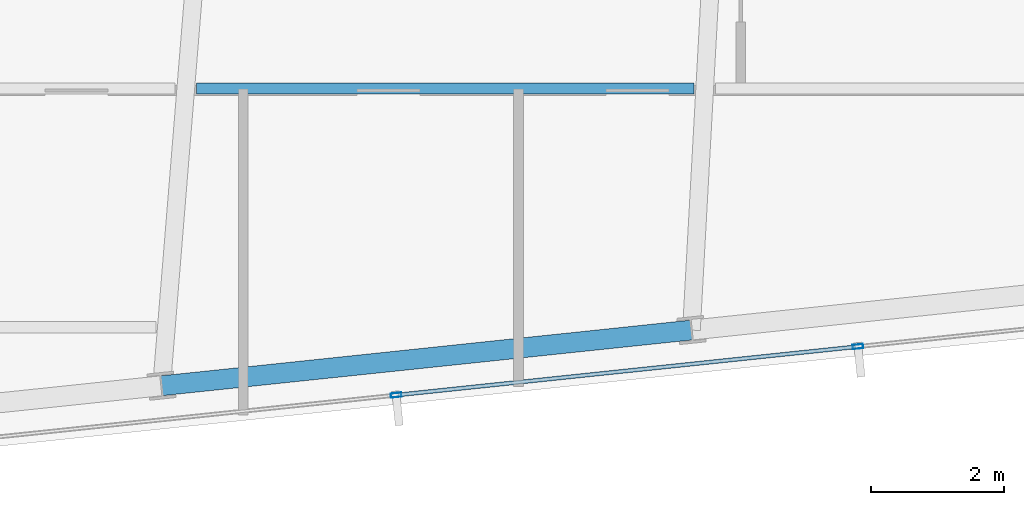
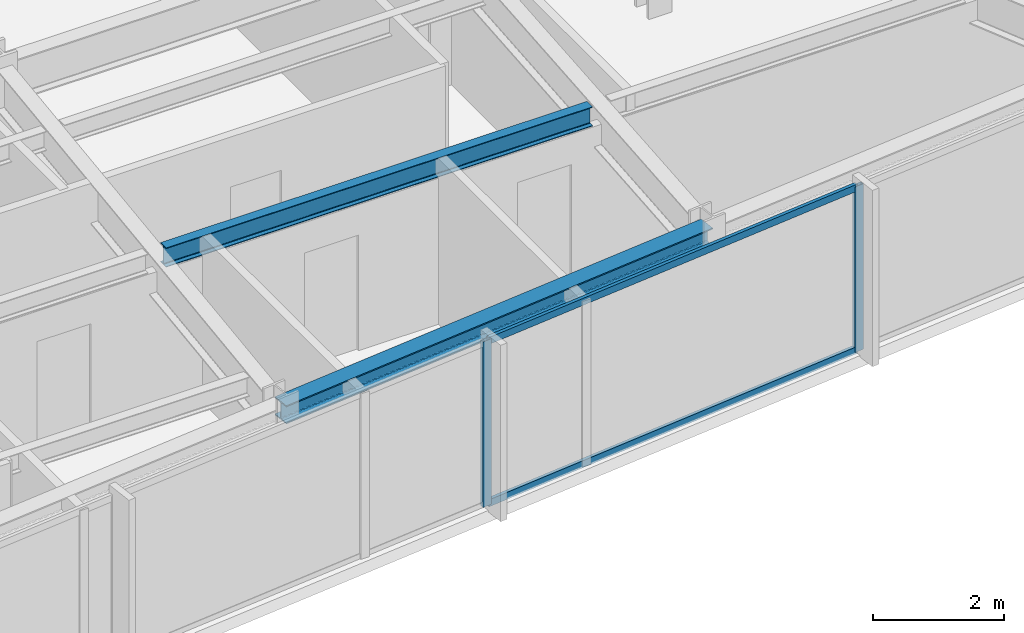
# One storey, part 14 of 32: 4 members, 2 beams, 1 element without a shape of its own.
"""IFC4 building model written with IfcOpenShell, lengths in metres."""

from ifc_helpers import new_model, si_unit, direction, frame, origin, origin_2d, place, context, subcontext, project, spatial, hollow_rectangle, i_section, extrude, material, material_profile, profile_set, type_object, element, aggregate, save


model = new_model("IFC4")

# Units and contexts
model_context = context("Model", 3, precision=1e-05, world=origin(), true_north=direction((0.0, 1.0)))
body_context = subcontext(model_context, "Body", "Model", "MODEL_VIEW")
ifc_project = project(units=[si_unit("LENGTHUNIT", "METRE"), si_unit("AREAUNIT", "SQUARE_METRE"), si_unit("VOLUMEUNIT", "CUBIC_METRE"), si_unit("PLANEANGLEUNIT", "RADIAN"), si_unit("MASSUNIT", "GRAM", prefix="KILO")], contexts=[model_context])

# Site, building, storey
site_placement = place(None, origin())
site = spatial("IfcSite", under=ifc_project, at=site_placement, CompositionType="ELEMENT")
building_placement = place(site_placement, origin())
building = spatial("IfcBuilding", under=site, at=building_placement, Name="Yelkora Congress Tower", CompositionType="ELEMENT")
storey_placement = place(building_placement, frame((0.0, 0.0, 214.39990234375)))
storey = spatial("IfcBuildingStorey", under=building, at=storey_placement, Name="L59", CompositionType="ELEMENT", Elevation=214.39990234375)

# Beams
ifc_material_1 = material(Name="Steel S355J2", Category="steel")
ifc_material_profile_1 = material_profile(ifc_material_1, i_section(OverallWidth=0.169921875, OverallDepth=0.360107421875, WebThickness=0.008056640625, FlangeThickness=0.0126953125, FilletRadius=0.01806640625, at=origin_2d()), Name="IPE 360")
ifc_profile_set_1 = profile_set([ifc_material_profile_1], Name="Steel S355J2")
beam_type_1 = type_object("IfcBeamType", Name="BM-JOIST-IPE360", PredefinedType="JOIST", material=ifc_profile_set_1)
beam_1_placement = place(storey_placement, frame((45.791259765625, 19.678466796875, 2.900146484375), z_axis=(1.0, 0.0, 0.0), x_axis=(0.0, 1.0, 0.0)))
element("IfcBeam", 1, at=beam_1_placement, inside=storey, type_object=beam_type_1, Name="L59 Composite Floor Joist 6", PredefinedType="JOIST", context=body_context, shape_type="SweptSolid", body=[
    extrude(i_section(OverallWidth=0.169921875, OverallDepth=0.360107421875, WebThickness=0.008056640625, FlangeThickness=0.0126953125, FilletRadius=0.01806640625, at=origin_2d()), origin(), (0.0, 0.0, 1.0), 7.505126953125),
])
ifc_material_profile_2 = material_profile(ifc_material_1, i_section(OverallWidth=0.300048828125, OverallDepth=0.340087890625, WebThickness=0.011962890625, FlangeThickness=0.021484375, FilletRadius=0.027099609375, at=origin_2d()), Name="HEB 340")
ifc_profile_set_2 = profile_set([ifc_material_profile_2], Name="Steel S355J2")
beam_type_2 = type_object("IfcBeamType", Name="BM-SPAN-HEB340", PredefinedType="SPANDREL", material=ifc_profile_set_2)
beam_2_placement = place(storey_placement, frame((45.26708984375, 15.197509765625, 2.91015625), z_axis=(0.994520097542, 0.104545567032, 0.0), x_axis=(-0.104545567032, 0.994520097542, 0.0)))
element("IfcBeam", 2, at=beam_2_placement, inside=storey, type_object=beam_type_2, Name="L59 Perimeter Beam 6", PredefinedType="SPANDREL", context=body_context, shape_type="SweptSolid", body=[
    extrude(i_section(OverallWidth=0.300048828125, OverallDepth=0.340087890625, WebThickness=0.011962890625, FlangeThickness=0.021484375, FilletRadius=0.027099609375, at=origin_2d()), origin(), (0.0, 0.0, 1.0), 8.033203125),
])

# Curtain wall, members
ifc_material_2 = material(Name="Anodised aluminium and insulated glass", Category="aluminium")
curtain_wall_type = type_object("IfcCurtainWallType", Name="CW-SYS-B4", PredefinedType="NOTDEFINED", material=ifc_material_2)
curtain_wall_placement = place(storey_placement, origin())
curtain_wall = element("IfcCurtainWall", 3, at=curtain_wall_placement, inside=storey, type_object=curtain_wall_type, Name="L59 Unitised Curtain Wall 20", PredefinedType="NOTDEFINED")
ifc_material_3 = material(Name="Anodised aluminium 6063-T6", Category="aluminium")
ifc_material_profile_3 = material_profile(ifc_material_3, hollow_rectangle(XDim=0.06494140625, YDim=0.159912109375, WallThickness=0.00390625, at=origin_2d()), Name="ALU 65x160x4")
ifc_profile_set_3 = profile_set([ifc_material_profile_3], Name="Anodised aluminium 6063-T6")
member_type_1 = type_object("IfcMemberType", Name="MEM-ML-B4", PredefinedType="MULLION", material=ifc_profile_set_3)
member_1_placement = place(storey_placement, frame((55.76708984375, 15.788330078125, 0.0), z_axis=(0.0, 0.0, 1.0), x_axis=(0.104526664994, -0.994522084373, 0.0)))
member_1 = element("IfcMember", 4, at=member_1_placement, type_object=member_type_1, Name="CW-B4 mullion 3", PredefinedType="MULLION", context=body_context, shape_type="SweptSolid", body=[
    extrude(hollow_rectangle(XDim=0.06494140625, YDim=0.159912109375, WallThickness=0.00390625, at=origin_2d()), origin(), (0.0, 0.0, 1.0), 3.080078125),
])
member_2_placement = place(storey_placement, frame((48.802490234375, 15.056396484375, 0.0), z_axis=(0.0, 0.0, 1.0), x_axis=(0.104526664994, -0.994522084373, 0.0)))
member_2 = element("IfcMember", 5, at=member_2_placement, type_object=member_type_1, Name="CW-B4 mullion 4", PredefinedType="MULLION", context=body_context, shape_type="SweptSolid", body=[
    extrude(hollow_rectangle(XDim=0.06494140625, YDim=0.159912109375, WallThickness=0.00390625, at=origin_2d()), origin(), (0.0, 0.0, 1.0), 3.080078125),
])
ifc_material_profile_4 = material_profile(ifc_material_3, hollow_rectangle(XDim=0.06005859375, YDim=0.1298828125, WallThickness=0.00390625, at=origin_2d()), Name="ALU 60x130x4")
ifc_profile_set_4 = profile_set([ifc_material_profile_4], Name="Anodised aluminium 6063-T6")
member_type_2 = type_object("IfcMemberType", Name="MEM-TR-B4", PredefinedType="USERDEFINED", material=ifc_profile_set_4)
member_3_placement = place(storey_placement, frame((55.73486328125, 15.784912109375, 0.030029296875), z_axis=(-0.99452356298, -0.104512595784, 0.0), x_axis=(0.104512595784, -0.99452356298, 0.0)))
member_3 = element("IfcMember", 6, at=member_3_placement, type_object=member_type_2, Name="CW-B4 transom 3.1", ObjectType="TRANSOM", PredefinedType="USERDEFINED", context=body_context, shape_type="SweptSolid", body=[
    extrude(hollow_rectangle(XDim=0.06005859375, YDim=0.1298828125, WallThickness=0.00390625, at=origin_2d()), origin(), (0.0, 0.0, 1.0), 6.93798828125),
])
member_4_placement = place(storey_placement, frame((55.73486328125, 15.784912109375, 3.050048828125), z_axis=(-0.99452356298, -0.104512595784, 0.0), x_axis=(0.104512595784, -0.99452356298, 0.0)))
member_4 = element("IfcMember", 7, at=member_4_placement, type_object=member_type_2, Name="CW-B4 transom 3.2", ObjectType="TRANSOM", PredefinedType="USERDEFINED", context=body_context, shape_type="SweptSolid", body=[
    extrude(hollow_rectangle(XDim=0.06005859375, YDim=0.1298828125, WallThickness=0.00390625, at=origin_2d()), origin(), (0.0, 0.0, 1.0), 6.93798828125),
])
aggregate(curtain_wall, [member_1, member_2, member_3, member_4])

save(model, "model.ifc")
